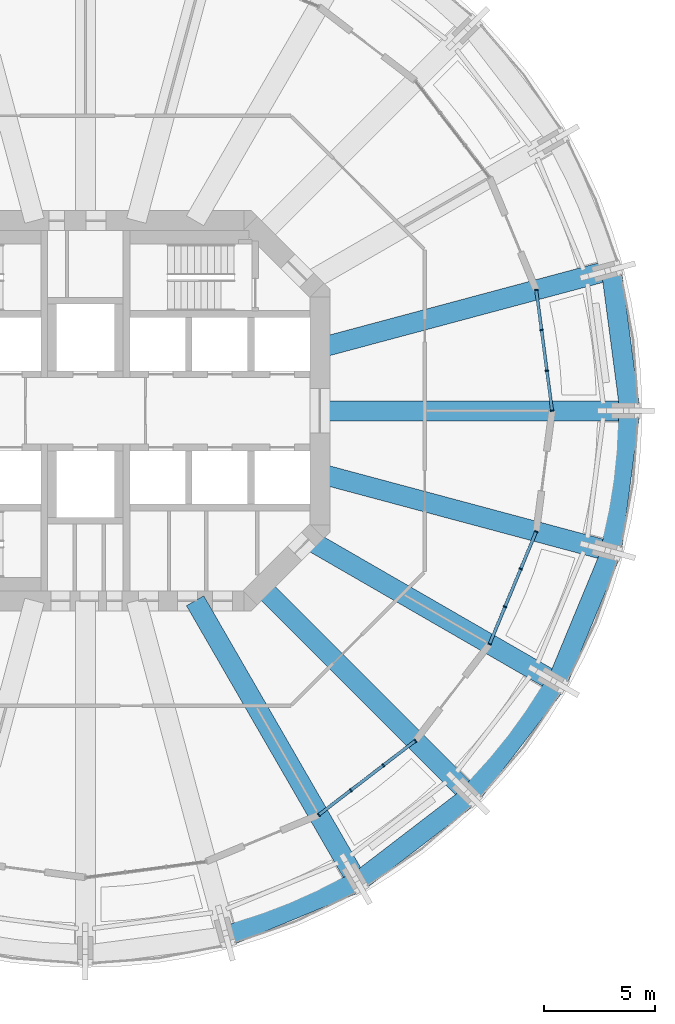
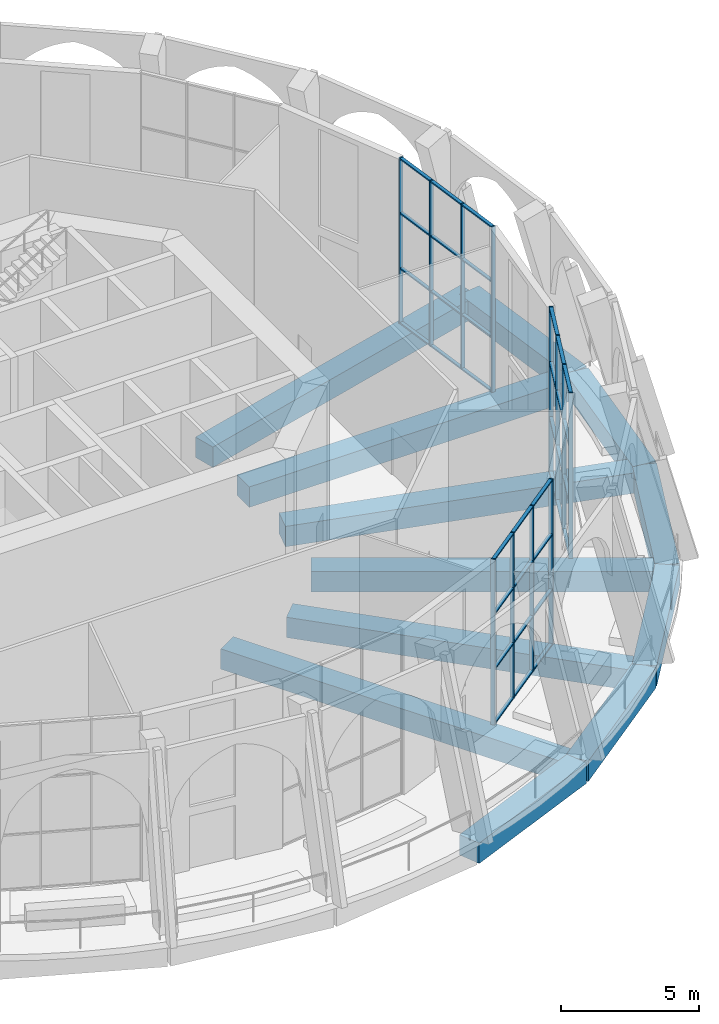
# One storey, part 5 of 18: 48 members, 12 beams, 3 elements without a shape of their own.
"""IFC4 building model written with IfcOpenShell, lengths in metres."""

import ifcopenshell
import ifcopenshell.guid

model = None  # the IFC model being written
_history = None  # IfcOwnerHistory: only IFC2X3 demands one
_inside = {}  # id of a spatial element -> (the spatial element, [elements in it])
_under = {}  # id of a project, library or spatial element -> (it, [spatial elements below it])
_declared = {}  # id of a project -> (the project, [libraries it declares])
_typed = {}  # id of a type object -> (the type object, [elements of that type])
_made_of = {}  # id of a material, layer set ... -> (it, [elements and type objects made of it])


def new_model(schema):
    """Start an empty IFC model of exactly this schema.

    Asked for "IFC4X3", IfcOpenShell would pick the latest addendum, in which some entities
    have other attributes; the version numbers below select the first issue.
    IFC2X3 requires an IfcOwnerHistory on every rooted entity: one is made here for all.
    """
    global model, _history
    if schema == "IFC4X3":
        model = ifcopenshell.file(schema_version=(4, 3, 0, 0))
    else:
        model = ifcopenshell.file(schema=schema)
    _inside.clear()
    _under.clear()
    _declared.clear()
    _typed.clear()
    _made_of.clear()
    _history = None
    if model.schema == "IFC2X3":
        org = make("IfcOrganization", Name="unknown")
        user = make(
            "IfcPersonAndOrganization",
            ThePerson=make("IfcPerson", FamilyName="unknown"),
            TheOrganization=org,
        )
        app = make(
            "IfcApplication",
            ApplicationDeveloper=org,
            Version="unknown",
            ApplicationFullName="unknown",
            ApplicationIdentifier="unknown",
        )
        _history = make(
            "IfcOwnerHistory",
            OwningUser=user,
            OwningApplication=app,
            ChangeAction="ADDED",
            CreationDate=0,
        )
    return model


def make(cls, **values):
    """One entity of the class cls with the attributes given. An attribute that is None is left unset."""
    return model.create_entity(
        cls, **{name: value for name, value in values.items() if value is not None}
    )


def rooted(cls, **values):
    """An entity with a GlobalId (a new one), such as an element, a storey or a relation."""
    return make(cls, GlobalId=ifcopenshell.guid.new(), OwnerHistory=_history, **values)


def si_unit(unit_type, name, prefix=None):
    """IfcSIUnit, for example si_unit("LENGTHUNIT", "METRE", prefix="MILLI")."""
    return make("IfcSIUnit", UnitType=unit_type, Prefix=prefix, Name=name)


def assignment(units):
    """IfcUnitAssignment: the units of a project."""
    return None if units is None else make("IfcUnitAssignment", Units=units)


def point(xyz):
    """IfcCartesianPoint."""
    return None if xyz is None else make("IfcCartesianPoint", Coordinates=xyz)


def direction(xyz):
    """IfcDirection."""
    return None if xyz is None else make("IfcDirection", DirectionRatios=xyz)


def frame(location, z_axis=None, x_axis=None):
    """IfcAxis2Placement3D, a coordinate frame: its origin and axes. An axis left out is left unset."""
    return make(
        "IfcAxis2Placement3D",
        Location=point(location),
        Axis=direction(z_axis),
        RefDirection=direction(x_axis),
    )


def frame_2d(location, x_axis=None):
    """IfcAxis2Placement2D, a coordinate frame in the plane: its origin and x axis."""
    return make(
        "IfcAxis2Placement2D", Location=point(location), RefDirection=direction(x_axis)
    )


def origin():
    """The frame at (0, 0, 0) with its axes left unset."""
    return frame((0.0, 0.0, 0.0))


def origin_2d():
    """The frame at (0, 0) in the plane with its x axis left unset."""
    return frame_2d((0.0, 0.0))


def place(relative_to, where):
    """IfcLocalPlacement: puts the frame where relative to a parent placement (None: the world)."""
    return make(
        "IfcLocalPlacement", PlacementRelTo=relative_to, RelativePlacement=where
    )


def context(
    kind, dimensions, precision=None, world=None, true_north=None, identifier=None
):
    """IfcGeometricRepresentationContext, for example the 3D "Model" context."""
    return make(
        "IfcGeometricRepresentationContext",
        ContextIdentifier=identifier,
        ContextType=kind,
        CoordinateSpaceDimension=dimensions,
        Precision=precision,
        WorldCoordinateSystem=world,
        TrueNorth=true_north,
    )


def subcontext(parent, identifier, kind, view, scale=None):
    """IfcGeometricRepresentationSubContext, for example "Body" below "Model"."""
    return make(
        "IfcGeometricRepresentationSubContext",
        ContextIdentifier=identifier,
        ContextType=kind,
        ParentContext=parent,
        TargetScale=scale,
        TargetView=view,
    )


def project(units=None, contexts=None):
    """IfcProject with its units and contexts."""
    return rooted(
        "IfcProject",
        Name="project",
        RepresentationContexts=contexts,
        UnitsInContext=assignment(units),
    )


def spatial(cls, under=None, at=None, **own):
    """A site, building, storey or space (cls), placed at a placement, below another one or the project."""
    s = rooted(cls, ObjectPlacement=at, **own)
    if under is not None:
        _under.setdefault(under.id(), (under, []))[1].append(s)
    return s


def profile(cls, at=None, kind="AREA", **sizes):
    """A parametric profile (cls). Its sizes go by their IFC names, for example OverallWidth=200.0."""
    return make(cls, ProfileType=kind, Position=at, **sizes)


def rectangle(**sizes):
    """IfcRectangleProfileDef."""
    return profile("IfcRectangleProfileDef", **sizes)


def extrude(swept, where, along, depth):
    """IfcExtrudedAreaSolid: the profile swept, set in the frame where, extruded along a direction by depth."""
    return make(
        "IfcExtrudedAreaSolid",
        SweptArea=swept,
        Position=where,
        ExtrudedDirection=direction(along),
        Depth=depth,
    )


def shape(context_of_items, identifier, shape_type, items):
    """IfcShapeRepresentation: the items that make up one representation, for example the "Body"."""
    return make(
        "IfcShapeRepresentation",
        ContextOfItems=context_of_items,
        RepresentationIdentifier=identifier,
        RepresentationType=shape_type,
        Items=items,
    )


def material(Name=None, Category=None):
    """IfcMaterial."""
    return make("IfcMaterial", Name=Name, Category=Category)


def material_profile(
    of_material, cross_section, Name=None, Category=None, Priority=None
):
    """IfcMaterialProfile: a cross section and its material."""
    return make(
        "IfcMaterialProfile",
        Name=Name,
        Material=of_material,
        Profile=cross_section,
        Priority=Priority,
        Category=Category,
    )


def profile_set(profiles, Name=None, composite=None):
    """IfcMaterialProfileSet."""
    return make(
        "IfcMaterialProfileSet",
        Name=Name,
        MaterialProfiles=profiles,
        CompositeProfile=composite,
    )


def made_of(thing, what):
    """Note that an element or type object is made of a material, layer set ...; save() writes the relation."""
    if what is not None:
        _made_of.setdefault(what.id(), (what, []))[1].append(thing)
    return thing


def type_object(cls, material=None, **own):
    """A type object (cls), such as IfcWallType, which elements share."""
    return made_of(rooted(cls, **own), material)


def element(
    cls,
    number,
    at=None,
    inside=None,
    cuts=None,
    type_object=None,
    material=None,
    context=None,
    identifier="Body",
    shape_type=None,
    held_by="IfcProductDefinitionShape",
    body=None,
    shapes=None,
    **own,
):
    """One element of the class cls, such as IfcWall. Its Tag is "e" and its number.

    at: its placement. inside: the storey or other place that contains it. cuts: it is an
    opening in that element (IfcRelVoidsElement). A single representation is given by context,
    identifier, shape_type and body (its items); several are given by shapes. held_by: the class
    of the entity that holds the representations. save() writes the other relations.
    """
    e = rooted(cls, Tag="e%d" % number, ObjectPlacement=at, **own)
    if body is not None:
        shapes = [shape(context, identifier, shape_type, body)]
    if shapes is not None:
        e.Representation = make(held_by, Representations=shapes)
    if inside is not None:
        _inside.setdefault(inside.id(), (inside, []))[1].append(e)
    if cuts is not None:
        rooted(
            "IfcRelVoidsElement", RelatingBuildingElement=cuts, RelatedOpeningElement=e
        )
    if type_object is not None:
        _typed.setdefault(type_object.id(), (type_object, []))[1].append(e)
    return made_of(e, material)


def aggregate(whole, parts):
    """IfcRelAggregates: a whole, such as a stair, and the parts it consists of."""
    return rooted("IfcRelAggregates", RelatingObject=whole, RelatedObjects=parts)


def save(model, path):
    """Write the relations noted so far, then the file.

    IfcRelAggregates (storeys below a building ...), IfcRelContainedInSpatialStructure (elements
    in a storey), IfcRelDefinesByType, IfcRelAssociatesMaterial and IfcRelDeclares: one each for
    every whole, place, type object, material and project.
    """
    for whole, parts in _under.values():
        aggregate(whole, parts)
    for where, things in _inside.values():
        rooted(
            "IfcRelContainedInSpatialStructure",
            RelatedElements=things,
            RelatingStructure=where,
        )
    for kind, things in _typed.values():
        rooted("IfcRelDefinesByType", RelatedObjects=things, RelatingType=kind)
    for what, things in _made_of.values():
        rooted("IfcRelAssociatesMaterial", RelatedObjects=things, RelatingMaterial=what)
    for by, libraries in _declared.values():
        rooted("IfcRelDeclares", RelatingContext=by, RelatedDefinitions=libraries)
    model.write(path)


model = new_model("IFC4")

# Units and contexts
model_context = context("Model", 3, precision=1e-05, world=origin(), true_north=direction((0.0, 1.0)))
body_context = subcontext(model_context, "Body", "Model", "MODEL_VIEW")
ifc_project = project(units=[si_unit("LENGTHUNIT", "METRE"), si_unit("AREAUNIT", "SQUARE_METRE"), si_unit("VOLUMEUNIT", "CUBIC_METRE"), si_unit("PLANEANGLEUNIT", "RADIAN"), si_unit("MASSUNIT", "GRAM", prefix="KILO")], contexts=[model_context])

# Site, building, storey
site_placement = place(None, origin())
site = spatial("IfcSite", under=ifc_project, at=site_placement, CompositionType="ELEMENT")
building_placement = place(site_placement, origin())
building = spatial("IfcBuilding", under=site, at=building_placement, Name="Torre Triforio", CompositionType="ELEMENT")
storey_placement = place(building_placement, frame((0.0, 0.0, 146.60009765625)))
storey = spatial("IfcBuildingStorey", under=building, at=storey_placement, Name="L33", CompositionType="ELEMENT", Elevation=146.60009765625)

# Curtain wall, members
ifc_material_1 = material(Name="Aluminium mullion and transom frame with clear laminated glass", Category="aluminium")
curtain_wall_type = type_object("IfcCurtainWallType", Name="Sky garden conservatory wall ECW3", PredefinedType="NOTDEFINED", material=ifc_material_1)
curtain_wall_1_placement = place(storey_placement, origin())
curtain_wall_1 = element("IfcCurtainWall", 1, at=curtain_wall_1_placement, inside=storey, type_object=curtain_wall_type, Name="Conservatory wall L33 bay 01", PredefinedType="NOTDEFINED")
ifc_material_2 = material(Name="Anodised aluminium extrusion", Category="aluminium")
ifc_material_profile_1 = material_profile(ifc_material_2, rectangle(XDim=0.159912109375, YDim=0.06005859375, at=origin_2d()), Name="ECW3 MULLION 60x160")
ifc_profile_set_1 = profile_set([ifc_material_profile_1], Name="Anodised aluminium extrusion")
member_type_1 = type_object("IfcMemberType", Name="ECW3 mullion 60 x 160", PredefinedType="MULLION", material=ifc_profile_set_1)
member_1_placement = place(storey_placement, frame((21.0, 0.0, 0.0), z_axis=(0.0, 0.0, 1.0), x_axis=(-0.991444343291, -0.130530127386, 0.0)))
member_1 = element("IfcMember", 2, at=member_1_placement, type_object=member_type_1, Name="ECW3 mullion 1", PredefinedType="MULLION", context=body_context, shape_type="SweptSolid", body=[
    extrude(rectangle(XDim=0.159912109375, YDim=0.06005859375, at=origin_2d()), origin(), (0.0, 0.0, 1.0), 7.31982421875),
])
member_2_placement = place(storey_placement, frame((20.7626953125, 1.8017578125, 0.0), z_axis=(0.0, 0.0, 1.0), x_axis=(-0.991444343291, -0.130530127386, 0.0)))
member_2 = element("IfcMember", 3, at=member_2_placement, type_object=member_type_1, Name="ECW3 mullion 2", PredefinedType="MULLION", context=body_context, shape_type="SweptSolid", body=[
    extrude(rectangle(XDim=0.159912109375, YDim=0.06005859375, at=origin_2d()), origin(), (0.0, 0.0, 1.0), 7.31982421875),
])
member_3_placement = place(storey_placement, frame((20.521728515625, 3.63330078125, 0.0), z_axis=(0.0, 0.0, 1.0), x_axis=(-0.991444343291, -0.130530127386, 0.0)))
member_3 = element("IfcMember", 4, at=member_3_placement, type_object=member_type_1, Name="ECW3 mullion 3", PredefinedType="MULLION", context=body_context, shape_type="SweptSolid", body=[
    extrude(rectangle(XDim=0.159912109375, YDim=0.06005859375, at=origin_2d()), origin(), (0.0, 0.0, 1.0), 7.31982421875),
])
member_4_placement = place(storey_placement, frame((20.284423828125, 5.43505859375, 0.0), z_axis=(0.0, 0.0, 1.0), x_axis=(-0.991444343291, -0.130530127386, 0.0)))
member_4 = element("IfcMember", 5, at=member_4_placement, type_object=member_type_1, Name="ECW3 mullion 4", PredefinedType="MULLION", context=body_context, shape_type="SweptSolid", body=[
    extrude(rectangle(XDim=0.159912109375, YDim=0.06005859375, at=origin_2d()), origin(), (0.0, 0.0, 1.0), 7.31982421875),
])

curtain_wall_2_placement = place(storey_placement, origin())
curtain_wall_2 = element("IfcCurtainWall", 6, at=curtain_wall_2_placement, inside=storey, type_object=curtain_wall_type, Name="Conservatory wall L33 bay 21", PredefinedType="NOTDEFINED")
member_5_placement = place(storey_placement, frame((10.5, -18.1865234375, 0.0), z_axis=(0.0, 0.0, 1.0), x_axis=(-0.608763325538, 0.793351885029, 0.0)))
member_5 = element("IfcMember", 7, at=member_5_placement, type_object=member_type_1, Name="ECW3 mullion 1", PredefinedType="MULLION", context=body_context, shape_type="SweptSolid", body=[
    extrude(rectangle(XDim=0.159912109375, YDim=0.06005859375, at=origin_2d()), origin(), (0.0, 0.0, 1.0), 7.31982421875),
])
member_6_placement = place(storey_placement, frame((11.94189453125, -17.080078125, 0.0), z_axis=(0.0, 0.0, 1.0), x_axis=(-0.608763325538, 0.793351885029, 0.0)))
member_6 = element("IfcMember", 8, at=member_6_placement, type_object=member_type_1, Name="ECW3 mullion 2", PredefinedType="MULLION", context=body_context, shape_type="SweptSolid", body=[
    extrude(rectangle(XDim=0.159912109375, YDim=0.06005859375, at=origin_2d()), origin(), (0.0, 0.0, 1.0), 7.31982421875),
])
member_7_placement = place(storey_placement, frame((13.407470703125, -15.95556640625, 0.0), z_axis=(0.0, 0.0, 1.0), x_axis=(-0.608763325538, 0.793351885029, 0.0)))
member_7 = element("IfcMember", 9, at=member_7_placement, type_object=member_type_1, Name="ECW3 mullion 3", PredefinedType="MULLION", context=body_context, shape_type="SweptSolid", body=[
    extrude(rectangle(XDim=0.159912109375, YDim=0.06005859375, at=origin_2d()), origin(), (0.0, 0.0, 1.0), 7.31982421875),
])
member_8_placement = place(storey_placement, frame((14.84912109375, -14.849365234375, 0.0), z_axis=(0.0, 0.0, 1.0), x_axis=(-0.608763325538, 0.793351885029, 0.0)))
member_8 = element("IfcMember", 10, at=member_8_placement, type_object=member_type_1, Name="ECW3 mullion 4", PredefinedType="MULLION", context=body_context, shape_type="SweptSolid", body=[
    extrude(rectangle(XDim=0.159912109375, YDim=0.06005859375, at=origin_2d()), origin(), (0.0, 0.0, 1.0), 7.31982421875),
])

curtain_wall_3_placement = place(storey_placement, origin())
curtain_wall_3 = element("IfcCurtainWall", 11, at=curtain_wall_3_placement, inside=storey, type_object=curtain_wall_type, Name="Conservatory wall L33 bay 23", PredefinedType="NOTDEFINED")
member_9_placement = place(storey_placement, frame((18.1865234375, -10.5, 0.0), z_axis=(0.0, 0.0, 1.0), x_axis=(-0.923883122974, 0.382674764107, 0.0)))
member_9 = element("IfcMember", 12, at=member_9_placement, type_object=member_type_1, Name="ECW3 mullion 1", PredefinedType="MULLION", context=body_context, shape_type="SweptSolid", body=[
    extrude(rectangle(XDim=0.159912109375, YDim=0.06005859375, at=origin_2d()), origin(), (0.0, 0.0, 1.0), 7.31982421875),
])
member_10_placement = place(storey_placement, frame((18.882080078125, -8.821044921875, 0.0), z_axis=(0.0, 0.0, 1.0), x_axis=(-0.923883122974, 0.382674764107, 0.0)))
member_10 = element("IfcMember", 13, at=member_10_placement, type_object=member_type_1, Name="ECW3 mullion 2", PredefinedType="MULLION", context=body_context, shape_type="SweptSolid", body=[
    extrude(rectangle(XDim=0.159912109375, YDim=0.06005859375, at=origin_2d()), origin(), (0.0, 0.0, 1.0), 7.31982421875),
])
member_11_placement = place(storey_placement, frame((19.5888671875, -7.1142578125, 0.0), z_axis=(0.0, 0.0, 1.0), x_axis=(-0.923883122974, 0.382674764107, 0.0)))
member_11 = element("IfcMember", 14, at=member_11_placement, type_object=member_type_1, Name="ECW3 mullion 3", PredefinedType="MULLION", context=body_context, shape_type="SweptSolid", body=[
    extrude(rectangle(XDim=0.159912109375, YDim=0.06005859375, at=origin_2d()), origin(), (0.0, 0.0, 1.0), 7.31982421875),
])
member_12_placement = place(storey_placement, frame((20.284423828125, -5.435302734375, 0.0), z_axis=(0.0, 0.0, 1.0), x_axis=(-0.923883122974, 0.382674764107, 0.0)))
member_12 = element("IfcMember", 15, at=member_12_placement, type_object=member_type_1, Name="ECW3 mullion 4", PredefinedType="MULLION", context=body_context, shape_type="SweptSolid", body=[
    extrude(rectangle(XDim=0.159912109375, YDim=0.06005859375, at=origin_2d()), origin(), (0.0, 0.0, 1.0), 7.31982421875),
])

# Member
ifc_material_profile_2 = material_profile(ifc_material_2, rectangle(XDim=0.139892578125, YDim=0.06005859375, at=origin_2d()), Name="ECW3 TRANSOM 60x140")
ifc_profile_set_2 = profile_set([ifc_material_profile_2], Name="Anodised aluminium extrusion")
member_type_2 = type_object("IfcMemberType", Name="ECW3 transom 60 x 140", PredefinedType="USERDEFINED", material=ifc_profile_set_2)
member_13_placement = place(storey_placement, frame((20.99609375, 0.02978515625, 0.02978515625), z_axis=(-0.130598268981, 0.991435369623, 0.0), x_axis=(-0.991435369623, -0.130598268981, 0.0)))
member_13 = element("IfcMember", 16, at=member_13_placement, type_object=member_type_2, Name="ECW3 transom 1.1", ObjectType="TRANSOM", PredefinedType="USERDEFINED", context=body_context, shape_type="SweptSolid", body=[
    extrude(rectangle(XDim=0.139892578125, YDim=0.06005859375, at=origin_2d()), origin(), (0.0, 0.0, 1.0), 1.75732421875),
])

member_14_placement = place(storey_placement, frame((20.99609375, 0.02978515625, 2.43994140625), z_axis=(-0.130598268981, 0.991435369623, 0.0), x_axis=(-0.991435369623, -0.130598268981, 0.0)))
member_14 = element("IfcMember", 17, at=member_14_placement, type_object=member_type_2, Name="ECW3 transom 1.2", ObjectType="TRANSOM", PredefinedType="USERDEFINED", context=body_context, shape_type="SweptSolid", body=[
    extrude(rectangle(XDim=0.139892578125, YDim=0.06005859375, at=origin_2d()), origin(), (0.0, 0.0, 1.0), 1.75732421875),
])

member_15_placement = place(storey_placement, frame((20.99609375, 0.02978515625, 4.8798828125), z_axis=(-0.130598268981, 0.991435369623, 0.0), x_axis=(-0.991435369623, -0.130598268981, 0.0)))
member_15 = element("IfcMember", 18, at=member_15_placement, type_object=member_type_2, Name="ECW3 transom 1.3", ObjectType="TRANSOM", PredefinedType="USERDEFINED", context=body_context, shape_type="SweptSolid", body=[
    extrude(rectangle(XDim=0.139892578125, YDim=0.06005859375, at=origin_2d()), origin(), (0.0, 0.0, 1.0), 1.75732421875),
])

member_16_placement = place(storey_placement, frame((20.99609375, 0.02978515625, 7.289794921875), z_axis=(-0.130598268981, 0.991435369623, 0.0), x_axis=(-0.991435369623, -0.130598268981, 0.0)))
member_16 = element("IfcMember", 19, at=member_16_placement, type_object=member_type_2, Name="ECW3 transom 1.4", ObjectType="TRANSOM", PredefinedType="USERDEFINED", context=body_context, shape_type="SweptSolid", body=[
    extrude(rectangle(XDim=0.139892578125, YDim=0.06005859375, at=origin_2d()), origin(), (0.0, 0.0, 1.0), 1.75732421875),
])

member_17_placement = place(storey_placement, frame((20.7587890625, 1.83154296875, 0.02978515625), z_axis=(-0.130454512571, 0.991454295543, 0.0), x_axis=(-0.991454295543, -0.130454512571, 0.0)))
member_17 = element("IfcMember", 20, at=member_17_placement, type_object=member_type_2, Name="ECW3 transom 2.1", ObjectType="TRANSOM", PredefinedType="USERDEFINED", context=body_context, shape_type="SweptSolid", body=[
    extrude(rectangle(XDim=0.139892578125, YDim=0.06005859375, at=origin_2d()), origin(), (0.0, 0.0, 1.0), 1.787353515625),
])

member_18_placement = place(storey_placement, frame((20.7587890625, 1.83154296875, 2.43994140625), z_axis=(-0.130454512571, 0.991454295543, 0.0), x_axis=(-0.991454295543, -0.130454512571, 0.0)))
member_18 = element("IfcMember", 21, at=member_18_placement, type_object=member_type_2, Name="ECW3 transom 2.2", ObjectType="TRANSOM", PredefinedType="USERDEFINED", context=body_context, shape_type="SweptSolid", body=[
    extrude(rectangle(XDim=0.139892578125, YDim=0.06005859375, at=origin_2d()), origin(), (0.0, 0.0, 1.0), 1.787353515625),
])

member_19_placement = place(storey_placement, frame((20.7587890625, 1.83154296875, 4.8798828125), z_axis=(-0.130454512571, 0.991454295543, 0.0), x_axis=(-0.991454295543, -0.130454512571, 0.0)))
member_19 = element("IfcMember", 22, at=member_19_placement, type_object=member_type_2, Name="ECW3 transom 2.3", ObjectType="TRANSOM", PredefinedType="USERDEFINED", context=body_context, shape_type="SweptSolid", body=[
    extrude(rectangle(XDim=0.139892578125, YDim=0.06005859375, at=origin_2d()), origin(), (0.0, 0.0, 1.0), 1.787353515625),
])

member_20_placement = place(storey_placement, frame((20.7587890625, 1.83154296875, 7.289794921875), z_axis=(-0.130454512571, 0.991454295543, 0.0), x_axis=(-0.991454295543, -0.130454512571, 0.0)))
member_20 = element("IfcMember", 23, at=member_20_placement, type_object=member_type_2, Name="ECW3 transom 2.4", ObjectType="TRANSOM", PredefinedType="USERDEFINED", context=body_context, shape_type="SweptSolid", body=[
    extrude(rectangle(XDim=0.139892578125, YDim=0.06005859375, at=origin_2d()), origin(), (0.0, 0.0, 1.0), 1.787353515625),
])

member_21_placement = place(storey_placement, frame((20.517822265625, 3.6630859375, 0.02978515625), z_axis=(-0.130580282255, 0.991437738784, 0.0), x_axis=(-0.991437738784, -0.130580282255, 0.0)))
member_21 = element("IfcMember", 24, at=member_21_placement, type_object=member_type_2, Name="ECW3 transom 3.1", ObjectType="TRANSOM", PredefinedType="USERDEFINED", context=body_context, shape_type="SweptSolid", body=[
    extrude(rectangle(XDim=0.139892578125, YDim=0.06005859375, at=origin_2d()), origin(), (0.0, 0.0, 1.0), 1.757568359375),
])

member_22_placement = place(storey_placement, frame((20.517822265625, 3.6630859375, 2.43994140625), z_axis=(-0.130580282255, 0.991437738784, 0.0), x_axis=(-0.991437738784, -0.130580282255, 0.0)))
member_22 = element("IfcMember", 25, at=member_22_placement, type_object=member_type_2, Name="ECW3 transom 3.2", ObjectType="TRANSOM", PredefinedType="USERDEFINED", context=body_context, shape_type="SweptSolid", body=[
    extrude(rectangle(XDim=0.139892578125, YDim=0.06005859375, at=origin_2d()), origin(), (0.0, 0.0, 1.0), 1.757568359375),
])

member_23_placement = place(storey_placement, frame((20.517822265625, 3.6630859375, 4.8798828125), z_axis=(-0.130580282255, 0.991437738784, 0.0), x_axis=(-0.991437738784, -0.130580282255, 0.0)))
member_23 = element("IfcMember", 26, at=member_23_placement, type_object=member_type_2, Name="ECW3 transom 3.3", ObjectType="TRANSOM", PredefinedType="USERDEFINED", context=body_context, shape_type="SweptSolid", body=[
    extrude(rectangle(XDim=0.139892578125, YDim=0.06005859375, at=origin_2d()), origin(), (0.0, 0.0, 1.0), 1.757568359375),
])

member_24_placement = place(storey_placement, frame((20.517822265625, 3.6630859375, 7.289794921875), z_axis=(-0.130580282255, 0.991437738784, 0.0), x_axis=(-0.991437738784, -0.130580282255, 0.0)))
member_24 = element("IfcMember", 27, at=member_24_placement, type_object=member_type_2, Name="ECW3 transom 3.4", ObjectType="TRANSOM", PredefinedType="USERDEFINED", context=body_context, shape_type="SweptSolid", body=[
    extrude(rectangle(XDim=0.139892578125, YDim=0.06005859375, at=origin_2d()), origin(), (0.0, 0.0, 1.0), 1.757568359375),
])

aggregate(curtain_wall_1, [member_1, member_2, member_3, member_4, member_13, member_14, member_15, member_16, member_17, member_18, member_19, member_20, member_21, member_22, member_23, member_24])

member_25_placement = place(storey_placement, frame((10.523681640625, -18.168212890625, 0.02978515625), z_axis=(0.793367055756, 0.60874355425, 0.0), x_axis=(-0.60874355425, 0.793367055756, 0.0)))
member_25 = element("IfcMember", 28, at=member_25_placement, type_object=member_type_2, Name="ECW3 transom 1.1", ObjectType="TRANSOM", PredefinedType="USERDEFINED", context=body_context, shape_type="SweptSolid", body=[
    extrude(rectangle(XDim=0.139892578125, YDim=0.06005859375, at=origin_2d()), origin(), (0.0, 0.0, 1.0), 1.75732421875),
])

member_26_placement = place(storey_placement, frame((10.523681640625, -18.168212890625, 2.43994140625), z_axis=(0.793367055756, 0.60874355425, 0.0), x_axis=(-0.60874355425, 0.793367055756, 0.0)))
member_26 = element("IfcMember", 29, at=member_26_placement, type_object=member_type_2, Name="ECW3 transom 1.2", ObjectType="TRANSOM", PredefinedType="USERDEFINED", context=body_context, shape_type="SweptSolid", body=[
    extrude(rectangle(XDim=0.139892578125, YDim=0.06005859375, at=origin_2d()), origin(), (0.0, 0.0, 1.0), 1.75732421875),
])

member_27_placement = place(storey_placement, frame((10.523681640625, -18.168212890625, 4.8798828125), z_axis=(0.793367055756, 0.60874355425, 0.0), x_axis=(-0.60874355425, 0.793367055756, 0.0)))
member_27 = element("IfcMember", 30, at=member_27_placement, type_object=member_type_2, Name="ECW3 transom 1.3", ObjectType="TRANSOM", PredefinedType="USERDEFINED", context=body_context, shape_type="SweptSolid", body=[
    extrude(rectangle(XDim=0.139892578125, YDim=0.06005859375, at=origin_2d()), origin(), (0.0, 0.0, 1.0), 1.75732421875),
])

member_28_placement = place(storey_placement, frame((10.523681640625, -18.168212890625, 7.289794921875), z_axis=(0.793367055756, 0.60874355425, 0.0), x_axis=(-0.60874355425, 0.793367055756, 0.0)))
member_28 = element("IfcMember", 31, at=member_28_placement, type_object=member_type_2, Name="ECW3 transom 1.4", ObjectType="TRANSOM", PredefinedType="USERDEFINED", context=body_context, shape_type="SweptSolid", body=[
    extrude(rectangle(XDim=0.139892578125, YDim=0.06005859375, at=origin_2d()), origin(), (0.0, 0.0, 1.0), 1.75732421875),
])

member_29_placement = place(storey_placement, frame((11.965576171875, -17.06201171875, 0.02978515625), z_axis=(0.793329270588, 0.608792795973, 0.0), x_axis=(-0.608792795973, 0.793329270588, 0.0)))
member_29 = element("IfcMember", 32, at=member_29_placement, type_object=member_type_2, Name="ECW3 transom 2.1", ObjectType="TRANSOM", PredefinedType="USERDEFINED", context=body_context, shape_type="SweptSolid", body=[
    extrude(rectangle(XDim=0.139892578125, YDim=0.06005859375, at=origin_2d()), origin(), (0.0, 0.0, 1.0), 1.787353515625),
])

member_30_placement = place(storey_placement, frame((11.965576171875, -17.06201171875, 2.43994140625), z_axis=(0.793329270588, 0.608792795973, 0.0), x_axis=(-0.608792795973, 0.793329270588, 0.0)))
member_30 = element("IfcMember", 33, at=member_30_placement, type_object=member_type_2, Name="ECW3 transom 2.2", ObjectType="TRANSOM", PredefinedType="USERDEFINED", context=body_context, shape_type="SweptSolid", body=[
    extrude(rectangle(XDim=0.139892578125, YDim=0.06005859375, at=origin_2d()), origin(), (0.0, 0.0, 1.0), 1.787353515625),
])

member_31_placement = place(storey_placement, frame((11.965576171875, -17.06201171875, 4.8798828125), z_axis=(0.793329270588, 0.608792795973, 0.0), x_axis=(-0.608792795973, 0.793329270588, 0.0)))
member_31 = element("IfcMember", 34, at=member_31_placement, type_object=member_type_2, Name="ECW3 transom 2.3", ObjectType="TRANSOM", PredefinedType="USERDEFINED", context=body_context, shape_type="SweptSolid", body=[
    extrude(rectangle(XDim=0.139892578125, YDim=0.06005859375, at=origin_2d()), origin(), (0.0, 0.0, 1.0), 1.787353515625),
])

member_32_placement = place(storey_placement, frame((11.965576171875, -17.06201171875, 7.289794921875), z_axis=(0.793329270588, 0.608792795973, 0.0), x_axis=(-0.608792795973, 0.793329270588, 0.0)))
member_32 = element("IfcMember", 35, at=member_32_placement, type_object=member_type_2, Name="ECW3 transom 2.4", ObjectType="TRANSOM", PredefinedType="USERDEFINED", context=body_context, shape_type="SweptSolid", body=[
    extrude(rectangle(XDim=0.139892578125, YDim=0.06005859375, at=origin_2d()), origin(), (0.0, 0.0, 1.0), 1.787353515625),
])

member_33_placement = place(storey_placement, frame((13.43115234375, -15.937255859375, 0.02978515625), z_axis=(0.793367055756, 0.60874355425, 0.0), x_axis=(-0.60874355425, 0.793367055756, 0.0)))
member_33 = element("IfcMember", 36, at=member_33_placement, type_object=member_type_2, Name="ECW3 transom 3.1", ObjectType="TRANSOM", PredefinedType="USERDEFINED", context=body_context, shape_type="SweptSolid", body=[
    extrude(rectangle(XDim=0.139892578125, YDim=0.06005859375, at=origin_2d()), origin(), (0.0, 0.0, 1.0), 1.75732421875),
])

member_34_placement = place(storey_placement, frame((13.43115234375, -15.937255859375, 2.43994140625), z_axis=(0.793367055756, 0.60874355425, 0.0), x_axis=(-0.60874355425, 0.793367055756, 0.0)))
member_34 = element("IfcMember", 37, at=member_34_placement, type_object=member_type_2, Name="ECW3 transom 3.2", ObjectType="TRANSOM", PredefinedType="USERDEFINED", context=body_context, shape_type="SweptSolid", body=[
    extrude(rectangle(XDim=0.139892578125, YDim=0.06005859375, at=origin_2d()), origin(), (0.0, 0.0, 1.0), 1.75732421875),
])

member_35_placement = place(storey_placement, frame((13.43115234375, -15.937255859375, 4.8798828125), z_axis=(0.793367055756, 0.60874355425, 0.0), x_axis=(-0.60874355425, 0.793367055756, 0.0)))
member_35 = element("IfcMember", 38, at=member_35_placement, type_object=member_type_2, Name="ECW3 transom 3.3", ObjectType="TRANSOM", PredefinedType="USERDEFINED", context=body_context, shape_type="SweptSolid", body=[
    extrude(rectangle(XDim=0.139892578125, YDim=0.06005859375, at=origin_2d()), origin(), (0.0, 0.0, 1.0), 1.75732421875),
])

member_36_placement = place(storey_placement, frame((13.43115234375, -15.937255859375, 7.289794921875), z_axis=(0.793367055756, 0.60874355425, 0.0), x_axis=(-0.60874355425, 0.793367055756, 0.0)))
member_36 = element("IfcMember", 39, at=member_36_placement, type_object=member_type_2, Name="ECW3 transom 3.4", ObjectType="TRANSOM", PredefinedType="USERDEFINED", context=body_context, shape_type="SweptSolid", body=[
    extrude(rectangle(XDim=0.139892578125, YDim=0.06005859375, at=origin_2d()), origin(), (0.0, 0.0, 1.0), 1.75732421875),
])

aggregate(curtain_wall_2, [member_5, member_6, member_7, member_8, member_25, member_26, member_27, member_28, member_29, member_30, member_31, member_32, member_33, member_34, member_35, member_36])

member_37_placement = place(storey_placement, frame((18.197998046875, -10.47216796875, 0.02978515625), z_axis=(0.38274032778, 0.923855963606, 0.0), x_axis=(-0.923855963606, 0.38274032778, 0.0)))
member_37 = element("IfcMember", 40, at=member_37_placement, type_object=member_type_2, Name="ECW3 transom 1.1", ObjectType="TRANSOM", PredefinedType="USERDEFINED", context=body_context, shape_type="SweptSolid", body=[
    extrude(rectangle(XDim=0.139892578125, YDim=0.06005859375, at=origin_2d()), origin(), (0.0, 0.0, 1.0), 1.75732421875),
])

member_38_placement = place(storey_placement, frame((18.197998046875, -10.47216796875, 2.43994140625), z_axis=(0.38274032778, 0.923855963606, 0.0), x_axis=(-0.923855963606, 0.38274032778, 0.0)))
member_38 = element("IfcMember", 41, at=member_38_placement, type_object=member_type_2, Name="ECW3 transom 1.2", ObjectType="TRANSOM", PredefinedType="USERDEFINED", context=body_context, shape_type="SweptSolid", body=[
    extrude(rectangle(XDim=0.139892578125, YDim=0.06005859375, at=origin_2d()), origin(), (0.0, 0.0, 1.0), 1.75732421875),
])

member_39_placement = place(storey_placement, frame((18.197998046875, -10.47216796875, 4.8798828125), z_axis=(0.38274032778, 0.923855963606, 0.0), x_axis=(-0.923855963606, 0.38274032778, 0.0)))
member_39 = element("IfcMember", 42, at=member_39_placement, type_object=member_type_2, Name="ECW3 transom 1.3", ObjectType="TRANSOM", PredefinedType="USERDEFINED", context=body_context, shape_type="SweptSolid", body=[
    extrude(rectangle(XDim=0.139892578125, YDim=0.06005859375, at=origin_2d()), origin(), (0.0, 0.0, 1.0), 1.75732421875),
])

member_40_placement = place(storey_placement, frame((18.197998046875, -10.47216796875, 7.289794921875), z_axis=(0.38274032778, 0.923855963606, 0.0), x_axis=(-0.923855963606, 0.38274032778, 0.0)))
member_40 = element("IfcMember", 43, at=member_40_placement, type_object=member_type_2, Name="ECW3 transom 1.4", ObjectType="TRANSOM", PredefinedType="USERDEFINED", context=body_context, shape_type="SweptSolid", body=[
    extrude(rectangle(XDim=0.139892578125, YDim=0.06005859375, at=origin_2d()), origin(), (0.0, 0.0, 1.0), 1.75732421875),
])

member_41_placement = place(storey_placement, frame((18.8935546875, -8.793212890625, 0.02978515625), z_axis=(0.382597092023, 0.923915291126, 0.0), x_axis=(-0.923915291126, 0.382597092023, 0.0)))
member_41 = element("IfcMember", 44, at=member_41_placement, type_object=member_type_2, Name="ECW3 transom 2.1", ObjectType="TRANSOM", PredefinedType="USERDEFINED", context=body_context, shape_type="SweptSolid", body=[
    extrude(rectangle(XDim=0.139892578125, YDim=0.06005859375, at=origin_2d()), origin(), (0.0, 0.0, 1.0), 1.787353515625),
])

member_42_placement = place(storey_placement, frame((18.8935546875, -8.793212890625, 2.43994140625), z_axis=(0.382597092023, 0.923915291126, 0.0), x_axis=(-0.923915291126, 0.382597092023, 0.0)))
member_42 = element("IfcMember", 45, at=member_42_placement, type_object=member_type_2, Name="ECW3 transom 2.2", ObjectType="TRANSOM", PredefinedType="USERDEFINED", context=body_context, shape_type="SweptSolid", body=[
    extrude(rectangle(XDim=0.139892578125, YDim=0.06005859375, at=origin_2d()), origin(), (0.0, 0.0, 1.0), 1.787353515625),
])

member_43_placement = place(storey_placement, frame((18.8935546875, -8.793212890625, 4.8798828125), z_axis=(0.382597092023, 0.923915291126, 0.0), x_axis=(-0.923915291126, 0.382597092023, 0.0)))
member_43 = element("IfcMember", 46, at=member_43_placement, type_object=member_type_2, Name="ECW3 transom 2.3", ObjectType="TRANSOM", PredefinedType="USERDEFINED", context=body_context, shape_type="SweptSolid", body=[
    extrude(rectangle(XDim=0.139892578125, YDim=0.06005859375, at=origin_2d()), origin(), (0.0, 0.0, 1.0), 1.787353515625),
])

member_44_placement = place(storey_placement, frame((18.8935546875, -8.793212890625, 7.289794921875), z_axis=(0.382597092023, 0.923915291126, 0.0), x_axis=(-0.923915291126, 0.382597092023, 0.0)))
member_44 = element("IfcMember", 47, at=member_44_placement, type_object=member_type_2, Name="ECW3 transom 2.4", ObjectType="TRANSOM", PredefinedType="USERDEFINED", context=body_context, shape_type="SweptSolid", body=[
    extrude(rectangle(XDim=0.139892578125, YDim=0.06005859375, at=origin_2d()), origin(), (0.0, 0.0, 1.0), 1.787353515625),
])

member_45_placement = place(storey_placement, frame((19.600341796875, -7.08642578125, 0.02978515625), z_axis=(0.38274032778, 0.923855963606, 0.0), x_axis=(-0.923855963606, 0.38274032778, 0.0)))
member_45 = element("IfcMember", 48, at=member_45_placement, type_object=member_type_2, Name="ECW3 transom 3.1", ObjectType="TRANSOM", PredefinedType="USERDEFINED", context=body_context, shape_type="SweptSolid", body=[
    extrude(rectangle(XDim=0.139892578125, YDim=0.06005859375, at=origin_2d()), origin(), (0.0, 0.0, 1.0), 1.75732421875),
])

member_46_placement = place(storey_placement, frame((19.600341796875, -7.08642578125, 2.43994140625), z_axis=(0.38274032778, 0.923855963606, 0.0), x_axis=(-0.923855963606, 0.38274032778, 0.0)))
member_46 = element("IfcMember", 49, at=member_46_placement, type_object=member_type_2, Name="ECW3 transom 3.2", ObjectType="TRANSOM", PredefinedType="USERDEFINED", context=body_context, shape_type="SweptSolid", body=[
    extrude(rectangle(XDim=0.139892578125, YDim=0.06005859375, at=origin_2d()), origin(), (0.0, 0.0, 1.0), 1.75732421875),
])

member_47_placement = place(storey_placement, frame((19.600341796875, -7.08642578125, 4.8798828125), z_axis=(0.38274032778, 0.923855963606, 0.0), x_axis=(-0.923855963606, 0.38274032778, 0.0)))
member_47 = element("IfcMember", 50, at=member_47_placement, type_object=member_type_2, Name="ECW3 transom 3.3", ObjectType="TRANSOM", PredefinedType="USERDEFINED", context=body_context, shape_type="SweptSolid", body=[
    extrude(rectangle(XDim=0.139892578125, YDim=0.06005859375, at=origin_2d()), origin(), (0.0, 0.0, 1.0), 1.75732421875),
])

member_48_placement = place(storey_placement, frame((19.600341796875, -7.08642578125, 7.289794921875), z_axis=(0.38274032778, 0.923855963606, 0.0), x_axis=(-0.923855963606, 0.38274032778, 0.0)))
member_48 = element("IfcMember", 51, at=member_48_placement, type_object=member_type_2, Name="ECW3 transom 3.4", ObjectType="TRANSOM", PredefinedType="USERDEFINED", context=body_context, shape_type="SweptSolid", body=[
    extrude(rectangle(XDim=0.139892578125, YDim=0.06005859375, at=origin_2d()), origin(), (0.0, 0.0, 1.0), 1.75732421875),
])

aggregate(curtain_wall_3, [member_9, member_10, member_11, member_12, member_37, member_38, member_39, member_40, member_41, member_42, member_43, member_44, member_45, member_46, member_47, member_48])

# Beams
ifc_material_3 = material(Name="Concrete C50", Category="concrete")
ifc_material_profile_3 = material_profile(ifc_material_3, rectangle(XDim=0.89990234375, YDim=0.89990234375, at=origin_2d()), Name="RC 900x900")
ifc_profile_set_3 = profile_set([ifc_material_profile_3], Name="Concrete C50")
beam_type_1 = type_object("IfcBeamType", Name="Radial beam RC 900x900 C50", PredefinedType="BEAM", material=ifc_profile_set_3)
beam_1_placement = place(storey_placement, frame((10.550048828125, 0.0, -0.72998046875), z_axis=(1.0, 0.0, 0.0), x_axis=(0.0, 1.0, 0.0)))
element("IfcBeam", 52, at=beam_1_placement, inside=storey, type_object=beam_type_1, Name="BM.R.L33.00", PredefinedType="BEAM", context=body_context, shape_type="SweptSolid", body=[
    extrude(rectangle(XDim=0.89990234375, YDim=0.89990234375, at=origin_2d()), origin(), (0.0, 0.0, 1.0), 13.949951171875),
])
beam_2_placement = place(storey_placement, frame((10.550048828125, 2.826904296875, -0.72998046875), z_axis=(0.965926862951, 0.258815176197, 0.0), x_axis=(-0.258815176197, 0.965926862951, 0.0)))
element("IfcBeam", 53, at=beam_2_placement, inside=storey, type_object=beam_type_1, Name="BM.R.L33.01", PredefinedType="BEAM", context=body_context, shape_type="SweptSolid", body=[
    extrude(rectangle(XDim=0.89990234375, YDim=0.89990234375, at=origin_2d()), origin(), (0.0, 0.0, 1.0), 13.577880859375),
])
beam_3_placement = place(storey_placement, frame((4.936279296875, -8.550048828125, -0.72998046875), z_axis=(0.500007560092, -0.86602103892, 0.0), x_axis=(0.86602103892, 0.500007560092, 0.0)))
element("IfcBeam", 54, at=beam_3_placement, inside=storey, type_object=beam_type_1, Name="BM.R.L33.20", PredefinedType="BEAM", context=body_context, shape_type="SweptSolid", body=[
    extrude(rectangle(XDim=0.89990234375, YDim=0.89990234375, at=origin_2d()), origin(), (0.0, 0.0, 1.0), 14.627197265625),
])
beam_4_placement = place(storey_placement, frame((7.918212890625, -7.918212890625, -0.72998046875), z_axis=(0.707106781187, -0.707106781187, 0.0), x_axis=(0.707106781187, 0.707106781187, 0.0)))
element("IfcBeam", 55, at=beam_4_placement, inside=storey, type_object=beam_type_1, Name="BM.R.L33.21", PredefinedType="BEAM", context=body_context, shape_type="SweptSolid", body=[
    extrude(rectangle(XDim=0.89990234375, YDim=0.89990234375, at=origin_2d()), origin(), (0.0, 0.0, 1.0), 13.302001953125),
])
beam_5_placement = place(storey_placement, frame((10.039794921875, -5.796630859375, -0.72998046875), z_axis=(0.866028718729, -0.499994258303, 0.0), x_axis=(0.499994258303, 0.866028718729, 0.0)))
element("IfcBeam", 56, at=beam_5_placement, inside=storey, type_object=beam_type_1, Name="BM.R.L33.22", PredefinedType="BEAM", context=body_context, shape_type="SweptSolid", body=[
    extrude(rectangle(XDim=0.89990234375, YDim=0.89990234375, at=origin_2d()), origin(), (0.0, 0.0, 1.0), 12.906982421875),
])
beam_6_placement = place(storey_placement, frame((10.550048828125, -2.826904296875, -0.72998046875), z_axis=(0.965926862951, -0.258815176197, 0.0), x_axis=(0.258815176197, 0.965926862951, 0.0)))
element("IfcBeam", 57, at=beam_6_placement, inside=storey, type_object=beam_type_1, Name="BM.R.L33.23", PredefinedType="BEAM", context=body_context, shape_type="SweptSolid", body=[
    extrude(rectangle(XDim=0.89990234375, YDim=0.89990234375, at=origin_2d()), origin(), (0.0, 0.0, 1.0), 13.577880859375),
])
ifc_material_profile_4 = material_profile(ifc_material_3, rectangle(XDim=0.89990234375, YDim=0.89990234375, at=origin_2d()), Name="RC 900x900")
ifc_profile_set_4 = profile_set([ifc_material_profile_4], Name="Concrete C50")
beam_type_2 = type_object("IfcBeamType", Name="Spandrel beam RC 900x900 C50", PredefinedType="SPANDREL", material=ifc_profile_set_4)
for number, where, z_axis, x_axis, name in (
    (58, (24.5, 0.0, -0.72998046875), (-0.130510796237, 0.991446888172, 0.0), (-0.991446888172, -0.130510796237, 0.0), "BM.S.L33.00"),
    (59, (6.341064453125, -23.665283203125, -0.72998046875), (0.923868882006, 0.382709143949, 0.0), (-0.382709143949, 0.923868882006, 0.0), "BM.S.L33.19"),
    (60, (12.25, -21.217529296875, -0.72998046875), (0.79337406388, 0.60873442055, 0.0), (-0.60873442055, 0.79337406388, 0.0), "BM.S.L33.20"),
    (61, (17.32421875, -17.32421875, -0.72998046875), (0.60873442055, 0.79337406388, 0.0), (-0.79337406388, 0.60873442055, 0.0), "BM.S.L33.21"),
    (62, (21.217529296875, -12.25, -0.72998046875), (0.382709143949, 0.923868882006, 0.0), (-0.923868882006, 0.382709143949, 0.0), "BM.S.L33.22"),
    (63, (23.665283203125, -6.341064453125, -0.72998046875), (0.130510796237, 0.991446888172, 0.0), (-0.991446888172, 0.130510796237, 0.0), "BM.S.L33.23"),
):
    element("IfcBeam", number, at=place(storey_placement, frame(where, z_axis=z_axis, x_axis=x_axis)), inside=storey, type_object=beam_type_2, Name=name, PredefinedType="SPANDREL", context=body_context, shape_type="SweptSolid", body=[
        extrude(rectangle(XDim=0.89990234375, YDim=0.89990234375, at=origin_2d()), origin(), (0.0, 0.0, 1.0), 6.395751953125),
    ])

save(model, "model.ifc")
